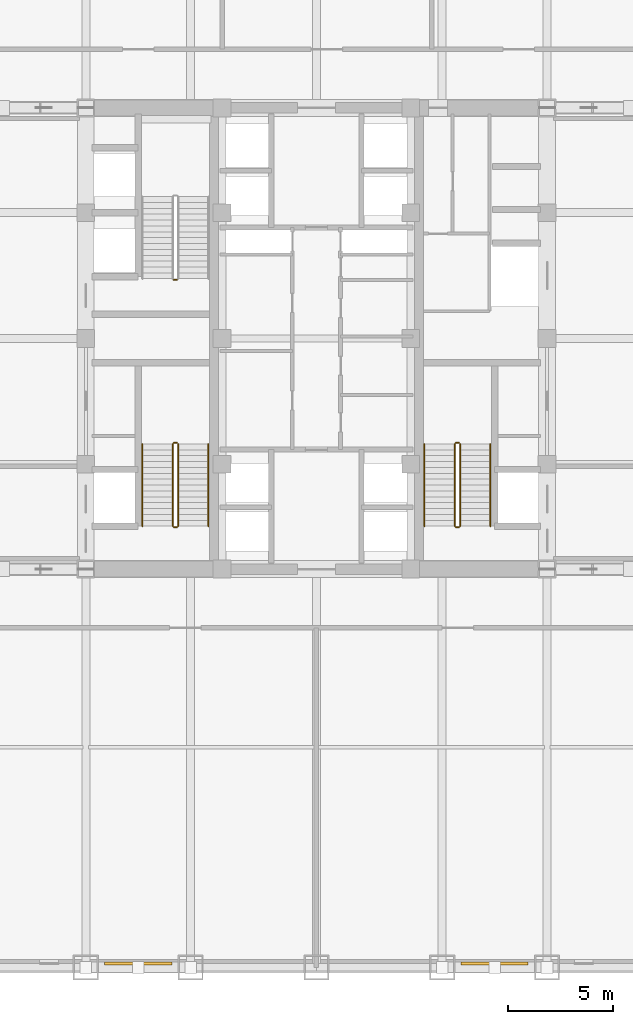
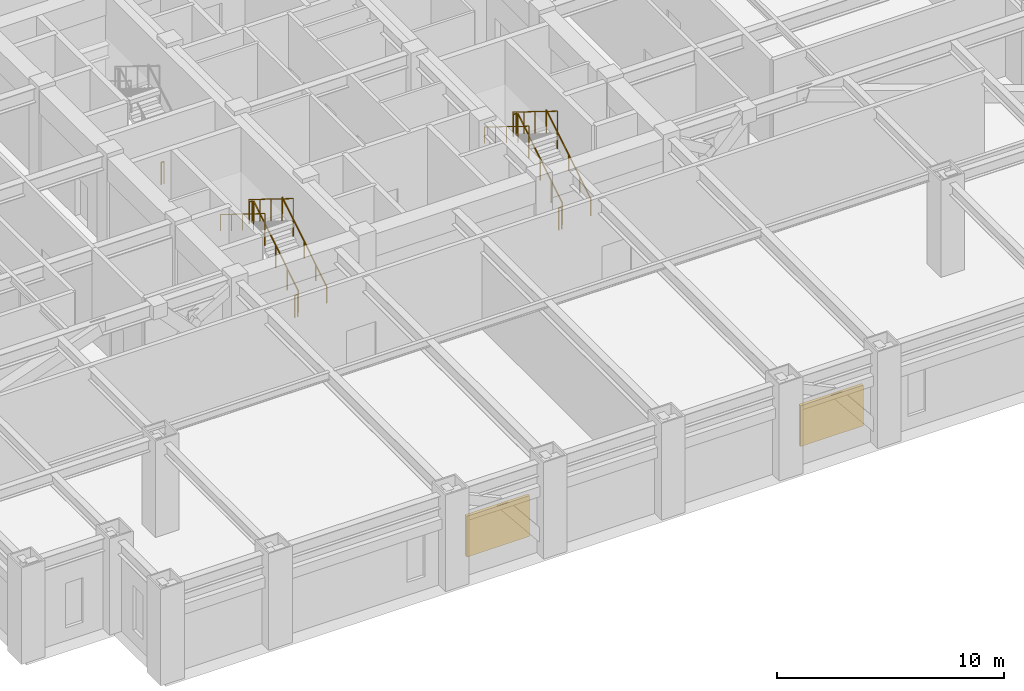
# One storey, part 11 of 12: 13 railings, 2 shading devices.
"""IFC4 building model written with IfcOpenShell, lengths in metres."""

import ifcopenshell
import ifcopenshell.guid

model = None  # the IFC model being written
_history = None  # IfcOwnerHistory: only IFC2X3 demands one
_inside = {}  # id of a spatial element -> (the spatial element, [elements in it])
_under = {}  # id of a project, library or spatial element -> (it, [spatial elements below it])
_declared = {}  # id of a project -> (the project, [libraries it declares])
_typed = {}  # id of a type object -> (the type object, [elements of that type])
_made_of = {}  # id of a material, layer set ... -> (it, [elements and type objects made of it])


def new_model(schema):
    """Start an empty IFC model of exactly this schema.

    Asked for "IFC4X3", IfcOpenShell would pick the latest addendum, in which some entities
    have other attributes; the version numbers below select the first issue.
    IFC2X3 requires an IfcOwnerHistory on every rooted entity: one is made here for all.
    """
    global model, _history
    if schema == "IFC4X3":
        model = ifcopenshell.file(schema_version=(4, 3, 0, 0))
    else:
        model = ifcopenshell.file(schema=schema)
    _inside.clear()
    _under.clear()
    _declared.clear()
    _typed.clear()
    _made_of.clear()
    _history = None
    if model.schema == "IFC2X3":
        org = make("IfcOrganization", Name="unknown")
        user = make(
            "IfcPersonAndOrganization",
            ThePerson=make("IfcPerson", FamilyName="unknown"),
            TheOrganization=org,
        )
        app = make(
            "IfcApplication",
            ApplicationDeveloper=org,
            Version="unknown",
            ApplicationFullName="unknown",
            ApplicationIdentifier="unknown",
        )
        _history = make(
            "IfcOwnerHistory",
            OwningUser=user,
            OwningApplication=app,
            ChangeAction="ADDED",
            CreationDate=0,
        )
    return model


def make(cls, **values):
    """One entity of the class cls with the attributes given. An attribute that is None is left unset."""
    return model.create_entity(
        cls, **{name: value for name, value in values.items() if value is not None}
    )


def rooted(cls, **values):
    """An entity with a GlobalId (a new one), such as an element, a storey or a relation."""
    return make(cls, GlobalId=ifcopenshell.guid.new(), OwnerHistory=_history, **values)


def si_unit(unit_type, name, prefix=None):
    """IfcSIUnit, for example si_unit("LENGTHUNIT", "METRE", prefix="MILLI")."""
    return make("IfcSIUnit", UnitType=unit_type, Prefix=prefix, Name=name)


def assignment(units):
    """IfcUnitAssignment: the units of a project."""
    return None if units is None else make("IfcUnitAssignment", Units=units)


def point(xyz):
    """IfcCartesianPoint."""
    return None if xyz is None else make("IfcCartesianPoint", Coordinates=xyz)


def direction(xyz):
    """IfcDirection."""
    return None if xyz is None else make("IfcDirection", DirectionRatios=xyz)


def frame(location, z_axis=None, x_axis=None):
    """IfcAxis2Placement3D, a coordinate frame: its origin and axes. An axis left out is left unset."""
    return make(
        "IfcAxis2Placement3D",
        Location=point(location),
        Axis=direction(z_axis),
        RefDirection=direction(x_axis),
    )


def frame_2d(location, x_axis=None):
    """IfcAxis2Placement2D, a coordinate frame in the plane: its origin and x axis."""
    return make(
        "IfcAxis2Placement2D", Location=point(location), RefDirection=direction(x_axis)
    )


def origin():
    """The frame at (0, 0, 0) with its axes left unset."""
    return frame((0.0, 0.0, 0.0))


def origin_2d():
    """The frame at (0, 0) in the plane with its x axis left unset."""
    return frame_2d((0.0, 0.0))


def place(relative_to, where):
    """IfcLocalPlacement: puts the frame where relative to a parent placement (None: the world)."""
    return make(
        "IfcLocalPlacement", PlacementRelTo=relative_to, RelativePlacement=where
    )


def context(
    kind, dimensions, precision=None, world=None, true_north=None, identifier=None
):
    """IfcGeometricRepresentationContext, for example the 3D "Model" context."""
    return make(
        "IfcGeometricRepresentationContext",
        ContextIdentifier=identifier,
        ContextType=kind,
        CoordinateSpaceDimension=dimensions,
        Precision=precision,
        WorldCoordinateSystem=world,
        TrueNorth=true_north,
    )


def subcontext(parent, identifier, kind, view, scale=None):
    """IfcGeometricRepresentationSubContext, for example "Body" below "Model"."""
    return make(
        "IfcGeometricRepresentationSubContext",
        ContextIdentifier=identifier,
        ContextType=kind,
        ParentContext=parent,
        TargetScale=scale,
        TargetView=view,
    )


def project(units=None, contexts=None):
    """IfcProject with its units and contexts."""
    return rooted(
        "IfcProject",
        Name="project",
        RepresentationContexts=contexts,
        UnitsInContext=assignment(units),
    )


def spatial(cls, under=None, at=None, **own):
    """A site, building, storey or space (cls), placed at a placement, below another one or the project."""
    s = rooted(cls, ObjectPlacement=at, **own)
    if under is not None:
        _under.setdefault(under.id(), (under, []))[1].append(s)
    return s


def profile(cls, at=None, kind="AREA", **sizes):
    """A parametric profile (cls). Its sizes go by their IFC names, for example OverallWidth=200.0."""
    return make(cls, ProfileType=kind, Position=at, **sizes)


def rectangle(**sizes):
    """IfcRectangleProfileDef."""
    return profile("IfcRectangleProfileDef", **sizes)


def circle(**sizes):
    """IfcCircleProfileDef."""
    return profile("IfcCircleProfileDef", **sizes)


def extrude(swept, where, along, depth):
    """IfcExtrudedAreaSolid: the profile swept, set in the frame where, extruded along a direction by depth."""
    return make(
        "IfcExtrudedAreaSolid",
        SweptArea=swept,
        Position=where,
        ExtrudedDirection=direction(along),
        Depth=depth,
    )


def shape(context_of_items, identifier, shape_type, items):
    """IfcShapeRepresentation: the items that make up one representation, for example the "Body"."""
    return make(
        "IfcShapeRepresentation",
        ContextOfItems=context_of_items,
        RepresentationIdentifier=identifier,
        RepresentationType=shape_type,
        Items=items,
    )


def source(mapping_origin, context_of_items, identifier, shape_type, items):
    """IfcRepresentationMap: a shape defined once, which mapped items show again and again."""
    return make(
        "IfcRepresentationMap",
        MappingOrigin=mapping_origin,
        MappedRepresentation=shape(context_of_items, identifier, shape_type, items),
    )


def transform(
    local_origin,
    x_axis=None,
    y_axis=None,
    z_axis=None,
    scale=None,
    scale2=None,
    scale3=None,
    uniform=True,
):
    """IfcCartesianTransformationOperator3D, or its non-uniform kind. x_axis, y_axis, z_axis: its Axis1, 2, 3."""
    if uniform:
        return make(
            "IfcCartesianTransformationOperator3D",
            Axis1=direction(x_axis),
            Axis2=direction(y_axis),
            LocalOrigin=point(local_origin),
            Scale=scale,
            Axis3=direction(z_axis),
        )
    return make(
        "IfcCartesianTransformationOperator3DnonUniform",
        Axis1=direction(x_axis),
        Axis2=direction(y_axis),
        LocalOrigin=point(local_origin),
        Scale=scale,
        Axis3=direction(z_axis),
        Scale2=scale2,
        Scale3=scale3,
    )


def mapped(mapping_source, mapping_target):
    """IfcMappedItem: shows the shape of a source again, moved by a transform."""
    return make(
        "IfcMappedItem", MappingSource=mapping_source, MappingTarget=mapping_target
    )


def material(Name=None, Category=None):
    """IfcMaterial."""
    return make("IfcMaterial", Name=Name, Category=Category)


def layer(
    of_material, thickness, ventilated=None, Name=None, Category=None, Priority=None
):
    """IfcMaterialLayer: one layer of a wall or slab, of a material (None: an air gap)."""
    return make(
        "IfcMaterialLayer",
        Material=of_material,
        LayerThickness=thickness,
        IsVentilated=ventilated,
        Name=Name,
        Category=Category,
        Priority=Priority,
    )


def layer_set(layers, Name=None):
    """IfcMaterialLayerSet."""
    return make("IfcMaterialLayerSet", MaterialLayers=layers, LayerSetName=Name)


def made_of(thing, what):
    """Note that an element or type object is made of a material, layer set ...; save() writes the relation."""
    if what is not None:
        _made_of.setdefault(what.id(), (what, []))[1].append(thing)
    return thing


def type_object(cls, material=None, **own):
    """A type object (cls), such as IfcWallType, which elements share."""
    return made_of(rooted(cls, **own), material)


def element(
    cls,
    number,
    at=None,
    inside=None,
    cuts=None,
    type_object=None,
    material=None,
    context=None,
    identifier="Body",
    shape_type=None,
    held_by="IfcProductDefinitionShape",
    body=None,
    shapes=None,
    **own,
):
    """One element of the class cls, such as IfcWall. Its Tag is "e" and its number.

    at: its placement. inside: the storey or other place that contains it. cuts: it is an
    opening in that element (IfcRelVoidsElement). A single representation is given by context,
    identifier, shape_type and body (its items); several are given by shapes. held_by: the class
    of the entity that holds the representations. save() writes the other relations.
    """
    e = rooted(cls, Tag="e%d" % number, ObjectPlacement=at, **own)
    if body is not None:
        shapes = [shape(context, identifier, shape_type, body)]
    if shapes is not None:
        e.Representation = make(held_by, Representations=shapes)
    if inside is not None:
        _inside.setdefault(inside.id(), (inside, []))[1].append(e)
    if cuts is not None:
        rooted(
            "IfcRelVoidsElement", RelatingBuildingElement=cuts, RelatedOpeningElement=e
        )
    if type_object is not None:
        _typed.setdefault(type_object.id(), (type_object, []))[1].append(e)
    return made_of(e, material)


def aggregate(whole, parts):
    """IfcRelAggregates: a whole, such as a stair, and the parts it consists of."""
    return rooted("IfcRelAggregates", RelatingObject=whole, RelatedObjects=parts)


def save(model, path):
    """Write the relations noted so far, then the file.

    IfcRelAggregates (storeys below a building ...), IfcRelContainedInSpatialStructure (elements
    in a storey), IfcRelDefinesByType, IfcRelAssociatesMaterial and IfcRelDeclares: one each for
    every whole, place, type object, material and project.
    """
    for whole, parts in _under.values():
        aggregate(whole, parts)
    for where, things in _inside.values():
        rooted(
            "IfcRelContainedInSpatialStructure",
            RelatedElements=things,
            RelatingStructure=where,
        )
    for kind, things in _typed.values():
        rooted("IfcRelDefinesByType", RelatedObjects=things, RelatingType=kind)
    for what, things in _made_of.values():
        rooted("IfcRelAssociatesMaterial", RelatedObjects=things, RelatingMaterial=what)
    for by, libraries in _declared.values():
        rooted("IfcRelDeclares", RelatingContext=by, RelatedDefinitions=libraries)
    model.write(path)


model = new_model("IFC4")

# Units and contexts
model_context = context("Model", 3, precision=1e-05, world=origin(), true_north=direction((0.0, 1.0)))
body_context = subcontext(model_context, "Body", "Model", "MODEL_VIEW")
ifc_project = project(units=[si_unit("LENGTHUNIT", "METRE"), si_unit("AREAUNIT", "SQUARE_METRE"), si_unit("VOLUMEUNIT", "CUBIC_METRE"), si_unit("PLANEANGLEUNIT", "RADIAN"), si_unit("MASSUNIT", "GRAM", prefix="KILO")], contexts=[model_context])

# Site, building, storey
site_placement = place(None, origin())
site = spatial("IfcSite", under=ifc_project, at=site_placement, CompositionType="ELEMENT")
building_placement = place(site_placement, origin())
building = spatial("IfcBuilding", under=site, at=building_placement, Name="Khorayat Bourse Tower", CompositionType="ELEMENT")
storey_placement = place(building_placement, frame((0.0, 0.0, 149.89990234375)))
storey = spatial("IfcBuildingStorey", under=building, at=storey_placement, Name="L34", CompositionType="ELEMENT", Elevation=149.89990234375)

# Shading devices
ifc_material_1 = material(Name="Anodised champagne aluminium", Category="aluminium")
ifc_layer = layer(ifc_material_1, 0.14990234375)
ifc_layer_set = layer_set([ifc_layer], Name="Anodised champagne aluminium")
shading_device_type = type_object("IfcShadingDeviceType", Name="SHD-PLANT-LOUVRE", PredefinedType="JALOUSIE", material=ifc_layer_set)
shared_shape_1 = source(origin(), body_context, "Body", "SweptSolid", [
    extrude(rectangle(XDim=3.199951171875, YDim=0.14990234375, at=origin_2d()), origin(), (0.0, 0.0, 1.0), 2.199951171875),
])
for number, where, z_axis, x_axis, name in (
    (1, (-8.5, -29.81005859375, 0.89990234375), (0.0, 0.0, 1.0), (1.0, 0.0, 0.0), "L34 Acoustic Plant Intake Louvre S-1"),
    (2, (8.5, -29.81005859375, 0.89990234375), (0.0, 0.0, 1.0), (1.0, 0.0, 0.0), "L34 Acoustic Plant Intake Louvre S-2"),
):
    element("IfcShadingDevice", number, at=place(storey_placement, frame(where, z_axis=z_axis, x_axis=x_axis)), inside=storey, type_object=shading_device_type, Name=name, PredefinedType="JALOUSIE", context=body_context, shape_type="MappedRepresentation", body=[
        mapped(shared_shape_1, transform((0.0, 0.0, 0.0), scale=1.0)),
    ])

# Railings
ifc_material_2 = material(Name="Powder-coated steel balustrade", Category="steel")
railing_type_1 = type_object("IfcRailingType", Name="RLG-GUARD-1200", PredefinedType="GUARDRAIL", material=ifc_material_2)
shared_shape_2 = source(origin(), body_context, "Body", "SweptSolid", [
    extrude(circle(Radius=0.02392578125, at=origin_2d()), frame((0.0, 0.0, 1.17578125), z_axis=(-1.0, 0.0, 0.0), x_axis=(0.0, -1.0, 0.0)), (0.0, 0.0, 1.0), 0.150146484375),
    extrude(circle(Radius=0.02099609375, at=origin_2d()), origin(), (0.0, 0.0, 1.0), 1.15185546875),
    extrude(circle(Radius=0.02099609375, at=origin_2d()), frame((-0.150146484375, 0.0, 0.0)), (0.0, 0.0, 1.0), 1.15185546875),
])
for number, where, name in (
    (3, (-6.64990234375, -4.97998046875, 2.60009765625), "L34 ST-1 stair guard 2"),
    (4, (-6.64990234375, -9.0, 0.0), "L34 ST-1 stair guard 4"),
    (5, (-6.64990234375, 2.800048828125, 0.0), "L34 ST-2 stair guard 4"),
    (6, (6.800048828125, -4.97998046875, 2.60009765625), "L34 ST-3 stair guard 2"),
    (7, (6.800048828125, -9.0, 0.0), "L34 ST-3 stair guard 4"),
):
    element("IfcRailing", number, at=place(storey_placement, frame(where)), inside=storey, type_object=railing_type_1, Name=name, PredefinedType="GUARDRAIL", context=body_context, shape_type="MappedRepresentation", body=[
        mapped(shared_shape_2, transform((0.0, 0.0, 0.0), scale=1.0)),
    ])
shared_shape_3 = source(origin(), body_context, "Body", "SweptSolid", [
    extrude(circle(Radius=0.02392578125, at=origin_2d()), frame((0.0, 0.0, 1.17578125), z_axis=(0.0, 0.850251603719, 0.526376491091), x_axis=(-1.0, 0.0, 0.0)), (0.0, 0.0, 1.0), 4.6103515625),
    extrude(circle(Radius=0.02099609375, at=origin_2d()), origin(), (0.0, 0.0, 1.0), 1.15185546875),
    extrude(circle(Radius=0.02099609375, at=origin_2d()), frame((0.0, 0.97998046875, 0.606689453125)), (0.0, 0.0, 1.0), 1.15185546875),
    extrude(circle(Radius=0.02099609375, at=origin_2d()), frame((0.0, 1.9599609375, 1.21337890625)), (0.0, 0.0, 1.0), 1.15185546875),
    extrude(circle(Radius=0.02099609375, at=origin_2d()), frame((0.0, 2.93994140625, 1.820068359375)), (0.0, 0.0, 1.0), 1.15185546875),
    extrude(circle(Radius=0.02099609375, at=origin_2d()), frame((0.0, 3.919921875, 2.4267578125)), (0.0, 0.0, 1.0), 1.15185546875),
])
for number, where, name in (
    (8, (-6.60009765625, -8.949951171875, 0.17333984375), "L34 ST-1 stair guard 1"),
    (9, (6.85009765625, -8.949951171875, 0.17333984375), "L34 ST-3 stair guard 1"),
):
    element("IfcRailing", number, at=place(storey_placement, frame(where)), inside=storey, type_object=railing_type_1, Name=name, PredefinedType="GUARDRAIL", context=body_context, shape_type="MappedRepresentation", body=[
        mapped(shared_shape_3, transform((0.0, 0.0, 0.0), scale=1.0)),
    ])
ifc_material_3 = material(Name="Brushed bronze stainless-steel handrail", Category="steel")
railing_type_2 = type_object("IfcRailingType", Name="RLG-HAND-900", PredefinedType="HANDRAIL", material=ifc_material_3)
shared_shape_4 = source(origin(), body_context, "Body", "SweptSolid", [
    extrude(circle(Radius=0.02392578125, at=origin_2d()), frame((0.0, 0.0, 0.8759765625), z_axis=(0.0, 0.850251603719, 0.526376491091), x_axis=(-1.0, 0.0, 0.0)), (0.0, 0.0, 1.0), 4.6103515625),
    extrude(circle(Radius=0.02099609375, at=origin_2d()), origin(), (0.0, 0.0, 1.0), 0.851806640625),
    extrude(circle(Radius=0.02099609375, at=origin_2d()), frame((0.0, 0.97998046875, 0.606689453125)), (0.0, 0.0, 1.0), 0.851806640625),
    extrude(circle(Radius=0.02099609375, at=origin_2d()), frame((0.0, 1.9599609375, 1.21337890625)), (0.0, 0.0, 1.0), 0.851806640625),
    extrude(circle(Radius=0.02099609375, at=origin_2d()), frame((0.0, 2.93994140625, 1.820068359375)), (0.0, 0.0, 1.0), 0.851806640625),
    extrude(circle(Radius=0.02099609375, at=origin_2d()), frame((0.0, 3.919921875, 2.4267578125)), (0.0, 0.0, 1.0), 0.851806640625),
])
for number, where, name in (
    (10, (-5.14990234375, -8.949951171875, 0.17333984375), "L34 ST-1 stair handrail 1"),
    (11, (8.300048828125, -8.949951171875, 0.17333984375), "L34 ST-3 stair handrail 1"),
):
    element("IfcRailing", number, at=place(storey_placement, frame(where)), inside=storey, type_object=railing_type_2, Name=name, PredefinedType="HANDRAIL", context=body_context, shape_type="MappedRepresentation", body=[
        mapped(shared_shape_4, transform((0.0, 0.0, 0.0), scale=1.0)),
    ])
shared_shape_5 = source(origin(), body_context, "Body", "SweptSolid", [
    extrude(circle(Radius=0.02392578125, at=origin_2d()), frame((0.0, 0.0, 1.17578125), z_axis=(0.0, -0.850251603719, 0.526376491091), x_axis=(1.0, 0.0, 0.0)), (0.0, 0.0, 1.0), 4.6103515625),
    extrude(circle(Radius=0.02099609375, at=origin_2d()), origin(), (0.0, 0.0, 1.0), 1.15185546875),
    extrude(circle(Radius=0.02099609375, at=origin_2d()), frame((0.0, -0.97998046875, 0.606689453125)), (0.0, 0.0, 1.0), 1.15185546875),
    extrude(circle(Radius=0.02099609375, at=origin_2d()), frame((0.0, -1.9599609375, 1.21337890625)), (0.0, 0.0, 1.0), 1.15185546875),
    extrude(circle(Radius=0.02099609375, at=origin_2d()), frame((0.0, -2.93994140625, 1.820068359375)), (0.0, 0.0, 1.0), 1.15185546875),
    extrude(circle(Radius=0.02099609375, at=origin_2d()), frame((0.0, -3.919921875, 2.4267578125)), (0.0, 0.0, 1.0), 1.15185546875),
])
for number, where, name in (
    (12, (-6.85009765625, -5.030029296875, 2.7734375), "L34 ST-1 stair guard 3"),
    (13, (6.60009765625, -5.030029296875, 2.7734375), "L34 ST-3 stair guard 3"),
):
    element("IfcRailing", number, at=place(storey_placement, frame(where)), inside=storey, type_object=railing_type_1, Name=name, PredefinedType="GUARDRAIL", context=body_context, shape_type="MappedRepresentation", body=[
        mapped(shared_shape_5, transform((0.0, 0.0, 0.0), scale=1.0)),
    ])
shared_shape_6 = source(origin(), body_context, "Body", "SweptSolid", [
    extrude(circle(Radius=0.02392578125, at=origin_2d()), frame((0.0, 0.0, 0.8759765625), z_axis=(0.0, -0.850251603719, 0.526376491091), x_axis=(1.0, 0.0, 0.0)), (0.0, 0.0, 1.0), 4.6103515625),
    extrude(circle(Radius=0.02099609375, at=origin_2d()), origin(), (0.0, 0.0, 1.0), 0.851806640625),
    extrude(circle(Radius=0.02099609375, at=origin_2d()), frame((0.0, -0.97998046875, 0.606689453125)), (0.0, 0.0, 1.0), 0.851806640625),
    extrude(circle(Radius=0.02099609375, at=origin_2d()), frame((0.0, -1.9599609375, 1.21337890625)), (0.0, 0.0, 1.0), 0.851806640625),
    extrude(circle(Radius=0.02099609375, at=origin_2d()), frame((0.0, -2.93994140625, 1.820068359375)), (0.0, 0.0, 1.0), 0.851806640625),
    extrude(circle(Radius=0.02099609375, at=origin_2d()), frame((0.0, -3.919921875, 2.4267578125)), (0.0, 0.0, 1.0), 0.851806640625),
])
for number, where, name in (
    (14, (-8.300048828125, -5.030029296875, 2.7734375), "L34 ST-1 stair handrail 2"),
    (15, (5.14990234375, -5.030029296875, 2.7734375), "L34 ST-3 stair handrail 2"),
):
    element("IfcRailing", number, at=place(storey_placement, frame(where)), inside=storey, type_object=railing_type_2, Name=name, PredefinedType="HANDRAIL", context=body_context, shape_type="MappedRepresentation", body=[
        mapped(shared_shape_6, transform((0.0, 0.0, 0.0), scale=1.0)),
    ])

save(model, "model.ifc")
